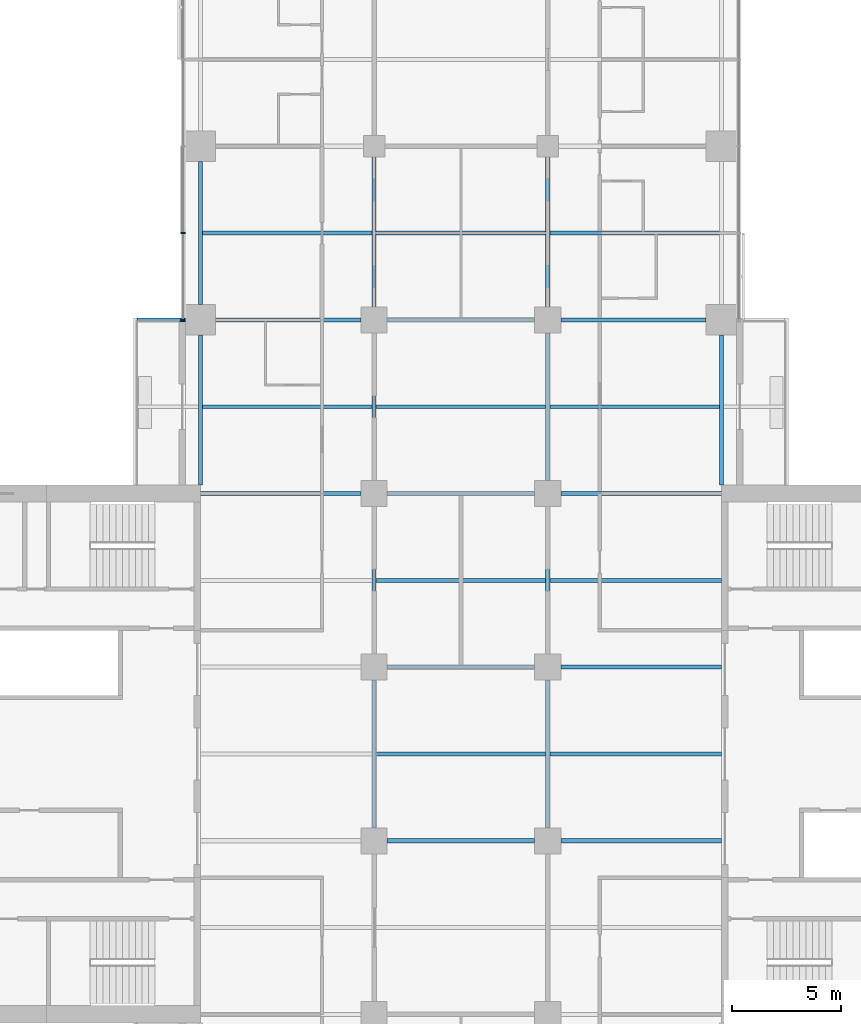
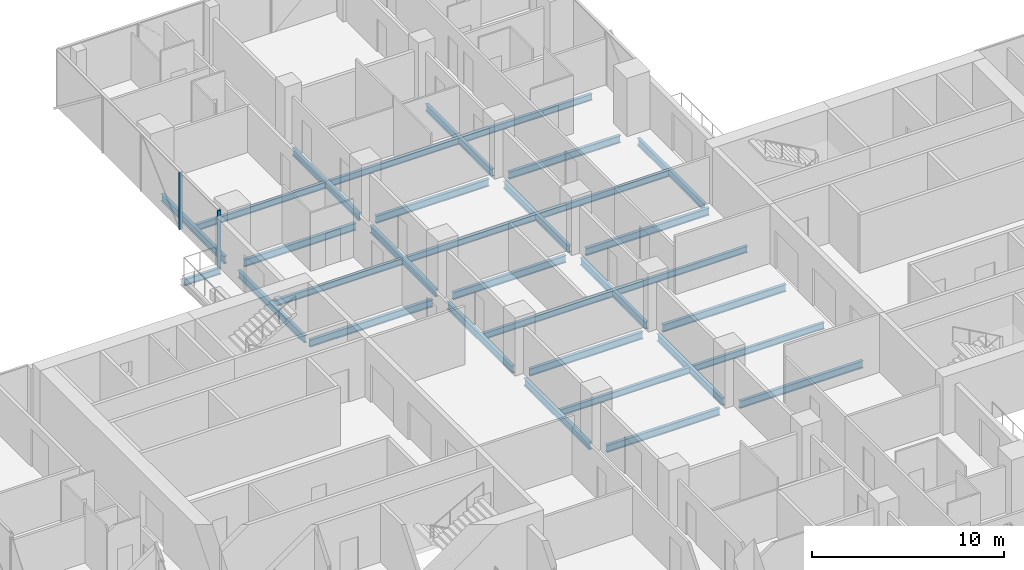
# One storey, part 9 of 27: 32 beams, 2 members, 1 element without a shape of its own.
"""IFC4 building model written with IfcOpenShell, lengths in metres."""

import ifcopenshell
import ifcopenshell.guid

model = None  # the IFC model being written
_history = None  # IfcOwnerHistory: only IFC2X3 demands one
_inside = {}  # id of a spatial element -> (the spatial element, [elements in it])
_under = {}  # id of a project, library or spatial element -> (it, [spatial elements below it])
_declared = {}  # id of a project -> (the project, [libraries it declares])
_typed = {}  # id of a type object -> (the type object, [elements of that type])
_made_of = {}  # id of a material, layer set ... -> (it, [elements and type objects made of it])


def new_model(schema):
    """Start an empty IFC model of exactly this schema.

    Asked for "IFC4X3", IfcOpenShell would pick the latest addendum, in which some entities
    have other attributes; the version numbers below select the first issue.
    IFC2X3 requires an IfcOwnerHistory on every rooted entity: one is made here for all.
    """
    global model, _history
    if schema == "IFC4X3":
        model = ifcopenshell.file(schema_version=(4, 3, 0, 0))
    else:
        model = ifcopenshell.file(schema=schema)
    _inside.clear()
    _under.clear()
    _declared.clear()
    _typed.clear()
    _made_of.clear()
    _history = None
    if model.schema == "IFC2X3":
        org = make("IfcOrganization", Name="unknown")
        user = make(
            "IfcPersonAndOrganization",
            ThePerson=make("IfcPerson", FamilyName="unknown"),
            TheOrganization=org,
        )
        app = make(
            "IfcApplication",
            ApplicationDeveloper=org,
            Version="unknown",
            ApplicationFullName="unknown",
            ApplicationIdentifier="unknown",
        )
        _history = make(
            "IfcOwnerHistory",
            OwningUser=user,
            OwningApplication=app,
            ChangeAction="ADDED",
            CreationDate=0,
        )
    return model


def make(cls, **values):
    """One entity of the class cls with the attributes given. An attribute that is None is left unset."""
    return model.create_entity(
        cls, **{name: value for name, value in values.items() if value is not None}
    )


def rooted(cls, **values):
    """An entity with a GlobalId (a new one), such as an element, a storey or a relation."""
    return make(cls, GlobalId=ifcopenshell.guid.new(), OwnerHistory=_history, **values)


def si_unit(unit_type, name, prefix=None):
    """IfcSIUnit, for example si_unit("LENGTHUNIT", "METRE", prefix="MILLI")."""
    return make("IfcSIUnit", UnitType=unit_type, Prefix=prefix, Name=name)


def assignment(units):
    """IfcUnitAssignment: the units of a project."""
    return None if units is None else make("IfcUnitAssignment", Units=units)


def point(xyz):
    """IfcCartesianPoint."""
    return None if xyz is None else make("IfcCartesianPoint", Coordinates=xyz)


def direction(xyz):
    """IfcDirection."""
    return None if xyz is None else make("IfcDirection", DirectionRatios=xyz)


def frame(location, z_axis=None, x_axis=None):
    """IfcAxis2Placement3D, a coordinate frame: its origin and axes. An axis left out is left unset."""
    return make(
        "IfcAxis2Placement3D",
        Location=point(location),
        Axis=direction(z_axis),
        RefDirection=direction(x_axis),
    )


def frame_2d(location, x_axis=None):
    """IfcAxis2Placement2D, a coordinate frame in the plane: its origin and x axis."""
    return make(
        "IfcAxis2Placement2D", Location=point(location), RefDirection=direction(x_axis)
    )


def origin():
    """The frame at (0, 0, 0) with its axes left unset."""
    return frame((0.0, 0.0, 0.0))


def origin_2d():
    """The frame at (0, 0) in the plane with its x axis left unset."""
    return frame_2d((0.0, 0.0))


def place(relative_to, where):
    """IfcLocalPlacement: puts the frame where relative to a parent placement (None: the world)."""
    return make(
        "IfcLocalPlacement", PlacementRelTo=relative_to, RelativePlacement=where
    )


def context(
    kind, dimensions, precision=None, world=None, true_north=None, identifier=None
):
    """IfcGeometricRepresentationContext, for example the 3D "Model" context."""
    return make(
        "IfcGeometricRepresentationContext",
        ContextIdentifier=identifier,
        ContextType=kind,
        CoordinateSpaceDimension=dimensions,
        Precision=precision,
        WorldCoordinateSystem=world,
        TrueNorth=true_north,
    )


def subcontext(parent, identifier, kind, view, scale=None):
    """IfcGeometricRepresentationSubContext, for example "Body" below "Model"."""
    return make(
        "IfcGeometricRepresentationSubContext",
        ContextIdentifier=identifier,
        ContextType=kind,
        ParentContext=parent,
        TargetScale=scale,
        TargetView=view,
    )


def project(units=None, contexts=None):
    """IfcProject with its units and contexts."""
    return rooted(
        "IfcProject",
        Name="project",
        RepresentationContexts=contexts,
        UnitsInContext=assignment(units),
    )


def spatial(cls, under=None, at=None, **own):
    """A site, building, storey or space (cls), placed at a placement, below another one or the project."""
    s = rooted(cls, ObjectPlacement=at, **own)
    if under is not None:
        _under.setdefault(under.id(), (under, []))[1].append(s)
    return s


def profile(cls, at=None, kind="AREA", **sizes):
    """A parametric profile (cls). Its sizes go by their IFC names, for example OverallWidth=200.0."""
    return make(cls, ProfileType=kind, Position=at, **sizes)


def rectangle(**sizes):
    """IfcRectangleProfileDef."""
    return profile("IfcRectangleProfileDef", **sizes)


def i_section(**sizes):
    """IfcIShapeProfileDef."""
    return profile("IfcIShapeProfileDef", **sizes)


def extrude(swept, where, along, depth):
    """IfcExtrudedAreaSolid: the profile swept, set in the frame where, extruded along a direction by depth."""
    return make(
        "IfcExtrudedAreaSolid",
        SweptArea=swept,
        Position=where,
        ExtrudedDirection=direction(along),
        Depth=depth,
    )


def shape(context_of_items, identifier, shape_type, items):
    """IfcShapeRepresentation: the items that make up one representation, for example the "Body"."""
    return make(
        "IfcShapeRepresentation",
        ContextOfItems=context_of_items,
        RepresentationIdentifier=identifier,
        RepresentationType=shape_type,
        Items=items,
    )


def material(Name=None, Category=None):
    """IfcMaterial."""
    return make("IfcMaterial", Name=Name, Category=Category)


def material_profile(
    of_material, cross_section, Name=None, Category=None, Priority=None
):
    """IfcMaterialProfile: a cross section and its material."""
    return make(
        "IfcMaterialProfile",
        Name=Name,
        Material=of_material,
        Profile=cross_section,
        Priority=Priority,
        Category=Category,
    )


def profile_set(profiles, Name=None, composite=None):
    """IfcMaterialProfileSet."""
    return make(
        "IfcMaterialProfileSet",
        Name=Name,
        MaterialProfiles=profiles,
        CompositeProfile=composite,
    )


def made_of(thing, what):
    """Note that an element or type object is made of a material, layer set ...; save() writes the relation."""
    if what is not None:
        _made_of.setdefault(what.id(), (what, []))[1].append(thing)
    return thing


def type_object(cls, material=None, **own):
    """A type object (cls), such as IfcWallType, which elements share."""
    return made_of(rooted(cls, **own), material)


def element(
    cls,
    number,
    at=None,
    inside=None,
    cuts=None,
    type_object=None,
    material=None,
    context=None,
    identifier="Body",
    shape_type=None,
    held_by="IfcProductDefinitionShape",
    body=None,
    shapes=None,
    **own,
):
    """One element of the class cls, such as IfcWall. Its Tag is "e" and its number.

    at: its placement. inside: the storey or other place that contains it. cuts: it is an
    opening in that element (IfcRelVoidsElement). A single representation is given by context,
    identifier, shape_type and body (its items); several are given by shapes. held_by: the class
    of the entity that holds the representations. save() writes the other relations.
    """
    e = rooted(cls, Tag="e%d" % number, ObjectPlacement=at, **own)
    if body is not None:
        shapes = [shape(context, identifier, shape_type, body)]
    if shapes is not None:
        e.Representation = make(held_by, Representations=shapes)
    if inside is not None:
        _inside.setdefault(inside.id(), (inside, []))[1].append(e)
    if cuts is not None:
        rooted(
            "IfcRelVoidsElement", RelatingBuildingElement=cuts, RelatedOpeningElement=e
        )
    if type_object is not None:
        _typed.setdefault(type_object.id(), (type_object, []))[1].append(e)
    return made_of(e, material)


def aggregate(whole, parts):
    """IfcRelAggregates: a whole, such as a stair, and the parts it consists of."""
    return rooted("IfcRelAggregates", RelatingObject=whole, RelatedObjects=parts)


def save(model, path):
    """Write the relations noted so far, then the file.

    IfcRelAggregates (storeys below a building ...), IfcRelContainedInSpatialStructure (elements
    in a storey), IfcRelDefinesByType, IfcRelAssociatesMaterial and IfcRelDeclares: one each for
    every whole, place, type object, material and project.
    """
    for whole, parts in _under.values():
        aggregate(whole, parts)
    for where, things in _inside.values():
        rooted(
            "IfcRelContainedInSpatialStructure",
            RelatedElements=things,
            RelatingStructure=where,
        )
    for kind, things in _typed.values():
        rooted("IfcRelDefinesByType", RelatedObjects=things, RelatingType=kind)
    for what, things in _made_of.values():
        rooted("IfcRelAssociatesMaterial", RelatedObjects=things, RelatingMaterial=what)
    for by, libraries in _declared.values():
        rooted("IfcRelDeclares", RelatingContext=by, RelatedDefinitions=libraries)
    model.write(path)


model = new_model("IFC4")

# Units and contexts
model_context = context("Model", 3, precision=1e-05, world=origin(), true_north=direction((0.0, 1.0)))
body_context = subcontext(model_context, "Body", "Model", "MODEL_VIEW")
ifc_project = project(units=[si_unit("LENGTHUNIT", "METRE"), si_unit("AREAUNIT", "SQUARE_METRE"), si_unit("VOLUMEUNIT", "CUBIC_METRE"), si_unit("PLANEANGLEUNIT", "RADIAN"), si_unit("MASSUNIT", "GRAM", prefix="KILO")], contexts=[model_context])

# Site, building, storey
site_placement = place(None, origin())
site = spatial("IfcSite", under=ifc_project, at=site_placement, CompositionType="ELEMENT")
building_placement = place(site_placement, origin())
building = spatial("IfcBuilding", under=site, at=building_placement, Name="Crosswind Convention Tower", CompositionType="ELEMENT")
storey_placement = place(building_placement, frame((0.0, 0.0, 83.10009765625)))
storey = spatial("IfcBuildingStorey", under=building, at=storey_placement, Name="L15", CompositionType="ELEMENT", Elevation=83.10009765625)

# Beams
ifc_material_1 = material(Name="Steel S355", Category="steel")
ifc_material_profile_1 = material_profile(ifc_material_1, i_section(OverallWidth=0.177734375, OverallDepth=0.406494140625, WebThickness=0.0078125, FlangeThickness=0.0126953125, FilletRadius=0.01025390625, at=origin_2d()), Name="UB 406x178x60")
ifc_profile_set_1 = profile_set([ifc_material_profile_1], Name="Steel S355")
beam_type_1 = type_object("IfcBeamType", Name="Balcony cantilever UB 406x178x60", PredefinedType="BEAM", material=ifc_profile_set_1)
beam_1_placement = place(storey_placement, frame((112.300048828125, 120.0, -0.4833984375), z_axis=(-1.0, 0.0, 0.0), x_axis=(0.0, -1.0, 0.0)))
element("IfcBeam", 1, at=beam_1_placement, inside=storey, type_object=beam_type_1, Name="B35 L15 balcony cantilever NW 5", PredefinedType="BEAM", context=body_context, shape_type="SweptSolid", body=[
    extrude(i_section(OverallWidth=0.177734375, OverallDepth=0.406494140625, WebThickness=0.0078125, FlangeThickness=0.0126953125, FilletRadius=0.01025390625, at=origin_2d()), origin(), (0.0, 0.0, 1.0), 2.214599609375),
])
ifc_material_profile_2 = material_profile(ifc_material_1, i_section(OverallWidth=0.1904296875, OverallDepth=0.457275390625, WebThickness=0.009033203125, FlangeThickness=0.014404296875, FilletRadius=0.01025390625, at=origin_2d()), Name="UB 457x191x75")
ifc_profile_set_2 = profile_set([ifc_material_profile_2], Name="Steel S355")
beam_type_2 = type_object("IfcBeamType", Name="Edge beam UB 457x191x75", PredefinedType="SPANDREL", material=ifc_profile_set_2)
beam_2_placement = place(storey_placement, frame((113.0, 112.39990234375, -0.5087890625), z_axis=(0.0, 1.0, 0.0), x_axis=(-1.0, 0.0, 0.0)))
element("IfcBeam", 2, at=beam_2_placement, inside=storey, type_object=beam_type_2, Name="B17 L15 edge beam 9", PredefinedType="SPANDREL", context=body_context, shape_type="SweptSolid", body=[
    extrude(i_section(OverallWidth=0.1904296875, OverallDepth=0.457275390625, WebThickness=0.009033203125, FlangeThickness=0.014404296875, FilletRadius=0.01025390625, at=origin_2d()), origin(), (0.0, 0.0, 1.0), 6.900146484375),
])
beam_3_placement = place(storey_placement, frame((113.0, 120.699951171875, -0.5087890625), z_axis=(0.0, 1.0, 0.0), x_axis=(-1.0, 0.0, 0.0)))
element("IfcBeam", 3, at=beam_3_placement, inside=storey, type_object=beam_type_2, Name="B17 L15 edge beam 10", PredefinedType="SPANDREL", context=body_context, shape_type="SweptSolid", body=[
    extrude(i_section(OverallWidth=0.1904296875, OverallDepth=0.457275390625, WebThickness=0.009033203125, FlangeThickness=0.014404296875, FilletRadius=0.01025390625, at=origin_2d()), origin(), (0.0, 0.0, 1.0), 6.60009765625),
])
beam_4_placement = place(storey_placement, frame((137.0, 112.39990234375, -0.5087890625), z_axis=(0.0, 1.0, 0.0), x_axis=(-1.0, 0.0, 0.0)))
element("IfcBeam", 4, at=beam_4_placement, inside=storey, type_object=beam_type_2, Name="B17 L15 edge beam 21", PredefinedType="SPANDREL", context=body_context, shape_type="SweptSolid", body=[
    extrude(i_section(OverallWidth=0.1904296875, OverallDepth=0.457275390625, WebThickness=0.009033203125, FlangeThickness=0.014404296875, FilletRadius=0.01025390625, at=origin_2d()), origin(), (0.0, 0.0, 1.0), 6.900146484375),
])
ifc_material_profile_3 = material_profile(ifc_material_1, i_section(OverallWidth=0.19140625, OverallDepth=0.460205078125, WebThickness=0.010009765625, FlangeThickness=0.01611328125, FilletRadius=0.01025390625, at=origin_2d()), Name="UB 457x191x82")
ifc_profile_set_3 = profile_set([ifc_material_profile_3], Name="Steel S355")
beam_type_3 = type_object("IfcBeamType", Name="Girder UB 457x191x82", PredefinedType="BEAM", material=ifc_profile_set_3)
beam_5_placement = place(storey_placement, frame((113.699951171875, 120.0, -0.51025390625), z_axis=(1.0, 0.0, 0.0), x_axis=(0.0, 1.0, 0.0)))
element("IfcBeam", 5, at=beam_5_placement, inside=storey, type_object=beam_type_3, Name="B3 L15 girder 3", PredefinedType="BEAM", context=body_context, shape_type="SweptSolid", body=[
    extrude(i_section(OverallWidth=0.19140625, OverallDepth=0.460205078125, WebThickness=0.010009765625, FlangeThickness=0.01611328125, FilletRadius=0.01025390625, at=origin_2d()), origin(), (0.0, 0.0, 1.0), 6.699951171875),
])
for number, where, z_axis, x_axis, name in (
    (6, (121.0, 96.60009765625, -0.51025390625), (0.0, 1.0, 0.0), (-1.0, 0.0, 0.0), "B3 L15 girder 9"),
    (7, (121.0, 104.60009765625, -0.51025390625), (0.0, 1.0, 0.0), (-1.0, 0.0, 0.0), "B3 L15 girder 10"),
    (8, (121.0, 112.60009765625, -0.51025390625), (0.0, 1.0, 0.0), (-1.0, 0.0, 0.0), "B3 L15 girder 11"),
):
    element("IfcBeam", number, at=place(storey_placement, frame(where, z_axis=z_axis, x_axis=x_axis)), inside=storey, type_object=beam_type_3, Name=name, PredefinedType="BEAM", context=body_context, shape_type="SweptSolid", body=[
        extrude(i_section(OverallWidth=0.19140625, OverallDepth=0.460205078125, WebThickness=0.010009765625, FlangeThickness=0.01611328125, FilletRadius=0.01025390625, at=origin_2d()), origin(), (0.0, 0.0, 1.0), 6.7998046875),
    ])
beam_6_placement = place(storey_placement, frame((121.0, 120.60009765625, -0.51025390625), z_axis=(0.0, 1.0, 0.0), x_axis=(-1.0, 0.0, 0.0)))
element("IfcBeam", 9, at=beam_6_placement, inside=storey, type_object=beam_type_3, Name="B3 L15 girder 12", PredefinedType="BEAM", context=body_context, shape_type="SweptSolid", body=[
    extrude(i_section(OverallWidth=0.19140625, OverallDepth=0.460205078125, WebThickness=0.010009765625, FlangeThickness=0.01611328125, FilletRadius=0.01025390625, at=origin_2d()), origin(), (0.0, 0.0, 1.0), 6.89990234375),
])
for number, where, z_axis, x_axis, name in (
    (10, (121.60009765625, 96.0, -0.51025390625), (1.0, 0.0, 0.0), (0.0, 1.0, 0.0), "B3 L15 girder 18"),
    (11, (121.60009765625, 104.0, -0.51025390625), (1.0, 0.0, 0.0), (0.0, 1.0, 0.0), "B3 L15 girder 19"),
    (12, (121.60009765625, 112.0, -0.51025390625), (1.0, 0.0, 0.0), (0.0, 1.0, 0.0), "B3 L15 girder 20"),
    (13, (121.60009765625, 120.0, -0.51025390625), (1.0, 0.0, 0.0), (0.0, 1.0, 0.0), "B3 L15 girder 21"),
    (14, (129.0, 96.60009765625, -0.51025390625), (0.0, 1.0, 0.0), (-1.0, 0.0, 0.0), "B3 L15 girder 26"),
    (15, (129.0, 104.60009765625, -0.51025390625), (0.0, 1.0, 0.0), (-1.0, 0.0, 0.0), "B3 L15 girder 27"),
    (16, (129.0, 112.60009765625, -0.51025390625), (0.0, 1.0, 0.0), (-1.0, 0.0, 0.0), "B3 L15 girder 28"),
):
    element("IfcBeam", number, at=place(storey_placement, frame(where, z_axis=z_axis, x_axis=x_axis)), inside=storey, type_object=beam_type_3, Name=name, PredefinedType="BEAM", context=body_context, shape_type="SweptSolid", body=[
        extrude(i_section(OverallWidth=0.19140625, OverallDepth=0.460205078125, WebThickness=0.010009765625, FlangeThickness=0.01611328125, FilletRadius=0.01025390625, at=origin_2d()), origin(), (0.0, 0.0, 1.0), 6.7998046875),
    ])
beam_7_placement = place(storey_placement, frame((129.0, 120.60009765625, -0.51025390625), z_axis=(0.0, 1.0, 0.0), x_axis=(-1.0, 0.0, 0.0)))
element("IfcBeam", 17, at=beam_7_placement, inside=storey, type_object=beam_type_3, Name="B3 L15 girder 29", PredefinedType="BEAM", context=body_context, shape_type="SweptSolid", body=[
    extrude(i_section(OverallWidth=0.19140625, OverallDepth=0.460205078125, WebThickness=0.010009765625, FlangeThickness=0.01611328125, FilletRadius=0.01025390625, at=origin_2d()), origin(), (0.0, 0.0, 1.0), 6.89990234375),
])
beam_8_placement = place(storey_placement, frame((129.60009765625, 120.0, -0.51025390625), z_axis=(1.0, 0.0, 0.0), x_axis=(0.0, 1.0, 0.0)))
element("IfcBeam", 18, at=beam_8_placement, inside=storey, type_object=beam_type_3, Name="B3 L15 girder 34", PredefinedType="BEAM", context=body_context, shape_type="SweptSolid", body=[
    extrude(i_section(OverallWidth=0.19140625, OverallDepth=0.460205078125, WebThickness=0.010009765625, FlangeThickness=0.01611328125, FilletRadius=0.01025390625, at=origin_2d()), origin(), (0.0, 0.0, 1.0), 6.699951171875),
])
ifc_material_profile_4 = material_profile(ifc_material_1, i_section(OverallWidth=0.19189453125, OverallDepth=0.463623046875, WebThickness=0.010498046875, FlangeThickness=0.017578125, FilletRadius=0.01025390625, at=origin_2d()), Name="UB 457x191x90")
ifc_profile_set_4 = profile_set([ifc_material_profile_4], Name="Steel S355")
beam_type_4 = type_object("IfcBeamType", Name="Girder at core wall UB 457x191x90", PredefinedType="BEAM", material=ifc_profile_set_4)
for number, where, z_axis, x_axis, name in (
    (19, (113.0, 112.0, -0.511962890625), (1.0, 0.0, 0.0), (0.0, 1.0, 0.0), "B24 L15 girder at core wall 6"),
    (20, (129.60009765625, 96.0, -0.511962890625), (1.0, 0.0, 0.0), (0.0, 1.0, 0.0), "B24 L15 girder at core wall 8"),
    (21, (129.60009765625, 104.0, -0.511962890625), (1.0, 0.0, 0.0), (0.0, 1.0, 0.0), "B24 L15 girder at core wall 9"),
    (22, (129.60009765625, 112.0, -0.511962890625), (1.0, 0.0, 0.0), (0.0, 1.0, 0.0), "B24 L15 girder at core wall 10"),
):
    element("IfcBeam", number, at=place(storey_placement, frame(where, z_axis=z_axis, x_axis=x_axis)), inside=storey, type_object=beam_type_4, Name=name, PredefinedType="BEAM", context=body_context, shape_type="SweptSolid", body=[
        extrude(i_section(OverallWidth=0.19189453125, OverallDepth=0.463623046875, WebThickness=0.010498046875, FlangeThickness=0.017578125, FilletRadius=0.01025390625, at=origin_2d()), origin(), (0.0, 0.0, 1.0), 7.39990234375),
    ])

# Curtain wall, members
ifc_material_2 = material(Name="Aluminium unitised curtain wall", Category="aluminium")
curtain_wall_type = type_object("IfcCurtainWallType", Name="HOTEL UNITISED WALL 200", PredefinedType="USERDEFINED", material=ifc_material_2)
curtain_wall_placement = place(storey_placement, origin())
curtain_wall = element("IfcCurtainWall", 23, at=curtain_wall_placement, inside=storey, type_object=curtain_wall_type, Name="CW2 L15 N-W 1", ObjectType="UNITISED", PredefinedType="USERDEFINED")
ifc_material_3 = material(Name="Aluminium mullion", Category="aluminium")
ifc_material_profile_5 = material_profile(ifc_material_3, rectangle(XDim=0.199951171875, YDim=0.06494140625, at=origin_2d()), Name="AL 200X65")
ifc_profile_set_5 = profile_set([ifc_material_profile_5], Name="Aluminium mullion")
member_type = type_object("IfcMemberType", Name="MULLION 65X200", PredefinedType="MULLION", material=ifc_profile_set_5)
member_1_placement = place(storey_placement, frame((112.199951171875, 124.0, -0.280029296875), z_axis=(0.0, 0.0, 1.0), x_axis=(-1.0, 0.0, 0.0)))
member_1 = element("IfcMember", 24, at=member_1_placement, type_object=member_type, Name="CW2 mullion 4", PredefinedType="MULLION", context=body_context, shape_type="SweptSolid", body=[
    extrude(rectangle(XDim=0.199951171875, YDim=0.06494140625, at=origin_2d()), origin(), (0.0, 0.0, 1.0), 3.635009765625),
])
member_2_placement = place(storey_placement, frame((112.199951171875, 120.0, -0.280029296875), z_axis=(0.0, 0.0, 1.0), x_axis=(-1.0, 0.0, 0.0)))
member_2 = element("IfcMember", 25, at=member_2_placement, type_object=member_type, Name="CW2 mullion 5", PredefinedType="MULLION", context=body_context, shape_type="SweptSolid", body=[
    extrude(rectangle(XDim=0.199951171875, YDim=0.06494140625, at=origin_2d()), origin(), (0.0, 0.0, 1.0), 3.635009765625),
])
aggregate(curtain_wall, [member_1, member_2])

# Beams
ifc_material_profile_6 = material_profile(ifc_material_1, i_section(OverallWidth=0.177734375, OverallDepth=0.406494140625, WebThickness=0.0078125, FlangeThickness=0.0126953125, FilletRadius=0.01025390625, at=origin_2d()), Name="UB 406x178x60")
ifc_profile_set_6 = profile_set([ifc_material_profile_6], Name="Steel S355")
beam_type_5 = type_object("IfcBeamType", Name="Secondary beam UB 406x178x60", PredefinedType="JOIST", material=ifc_profile_set_6)
for number, where, z_axis, x_axis, name in (
    (26, (113.09521484375, 116.0, -0.4833984375), (1.0, 0.0, 0.0), (0.0, 1.0, 0.0), "B10 L15 secondary beam 10"),
    (27, (113.09521484375, 124.0, -0.4833984375), (1.0, 0.0, 0.0), (0.0, 1.0, 0.0), "B10 L15 secondary beam 11"),
):
    element("IfcBeam", number, at=place(storey_placement, frame(where, z_axis=z_axis, x_axis=x_axis)), inside=storey, type_object=beam_type_5, Name=name, PredefinedType="JOIST", context=body_context, shape_type="SweptSolid", body=[
        extrude(i_section(OverallWidth=0.177734375, OverallDepth=0.406494140625, WebThickness=0.0078125, FlangeThickness=0.0126953125, FilletRadius=0.01025390625, at=origin_2d()), origin(), (0.0, 0.0, 1.0), 7.80908203125),
    ])
for number, where, z_axis, x_axis, name in (
    (28, (121.095703125, 100.0, -0.4833984375), (1.0, 0.0, 0.0), (0.0, 1.0, 0.0), "B10 L15 secondary beam 17"),
    (29, (121.095703125, 108.0, -0.4833984375), (1.0, 0.0, 0.0), (0.0, 1.0, 0.0), "B10 L15 secondary beam 18"),
    (30, (121.095703125, 116.0, -0.4833984375), (1.0, 0.0, 0.0), (0.0, 1.0, 0.0), "B10 L15 secondary beam 19"),
    (31, (121.095703125, 124.0, -0.4833984375), (1.0, 0.0, 0.0), (0.0, 1.0, 0.0), "B10 L15 secondary beam 20"),
):
    element("IfcBeam", number, at=place(storey_placement, frame(where, z_axis=z_axis, x_axis=x_axis)), inside=storey, type_object=beam_type_5, Name=name, PredefinedType="JOIST", context=body_context, shape_type="SweptSolid", body=[
        extrude(i_section(OverallWidth=0.177734375, OverallDepth=0.406494140625, WebThickness=0.0078125, FlangeThickness=0.0126953125, FilletRadius=0.01025390625, at=origin_2d()), origin(), (0.0, 0.0, 1.0), 7.80859375),
    ])
for number, where, z_axis, x_axis, name in (
    (32, (129.095703125, 100.0, -0.4833984375), (1.0, 0.0, 0.0), (0.0, 1.0, 0.0), "B10 L15 secondary beam 26"),
    (33, (129.095703125, 108.0, -0.4833984375), (1.0, 0.0, 0.0), (0.0, 1.0, 0.0), "B10 L15 secondary beam 27"),
):
    element("IfcBeam", number, at=place(storey_placement, frame(where, z_axis=z_axis, x_axis=x_axis)), inside=storey, type_object=beam_type_5, Name=name, PredefinedType="JOIST", context=body_context, shape_type="SweptSolid", body=[
        extrude(i_section(OverallWidth=0.177734375, OverallDepth=0.406494140625, WebThickness=0.0078125, FlangeThickness=0.0126953125, FilletRadius=0.01025390625, at=origin_2d()), origin(), (0.0, 0.0, 1.0), 7.904296875),
    ])
for number, where, z_axis, x_axis, name in (
    (34, (129.095703125, 116.0, -0.4833984375), (1.0, 0.0, 0.0), (0.0, 1.0, 0.0), "B10 L15 secondary beam 28"),
    (35, (129.095703125, 124.0, -0.4833984375), (1.0, 0.0, 0.0), (0.0, 1.0, 0.0), "B10 L15 secondary beam 29"),
):
    element("IfcBeam", number, at=place(storey_placement, frame(where, z_axis=z_axis, x_axis=x_axis)), inside=storey, type_object=beam_type_5, Name=name, PredefinedType="JOIST", context=body_context, shape_type="SweptSolid", body=[
        extrude(i_section(OverallWidth=0.177734375, OverallDepth=0.406494140625, WebThickness=0.0078125, FlangeThickness=0.0126953125, FilletRadius=0.01025390625, at=origin_2d()), origin(), (0.0, 0.0, 1.0), 7.80908203125),
    ])

save(model, "model.ifc")
